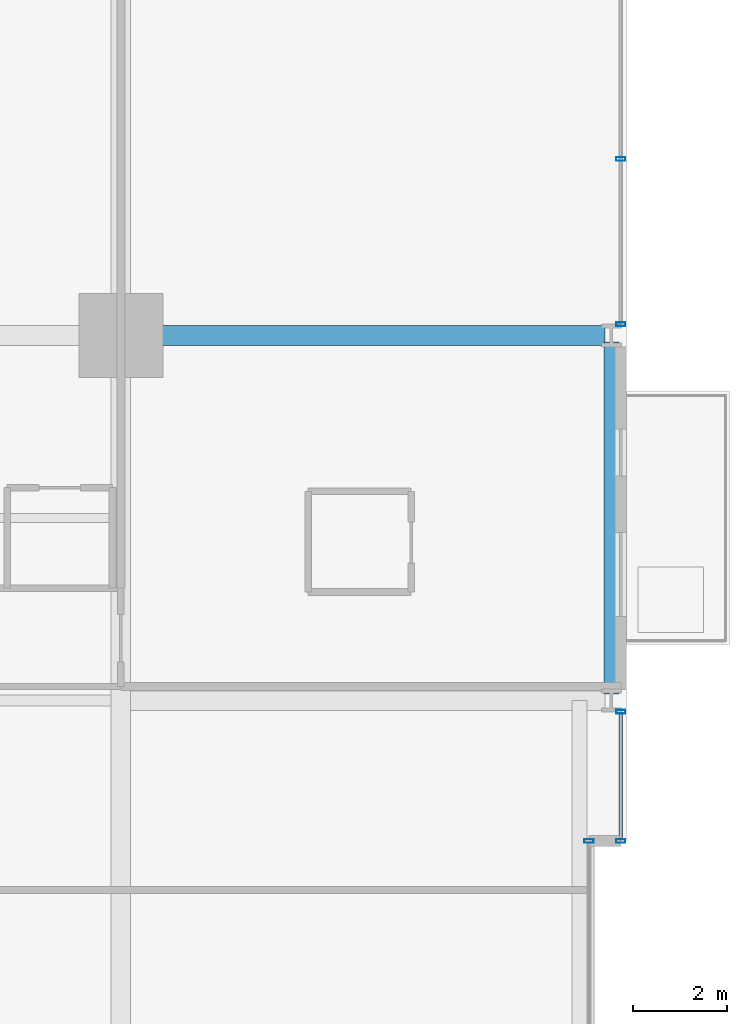
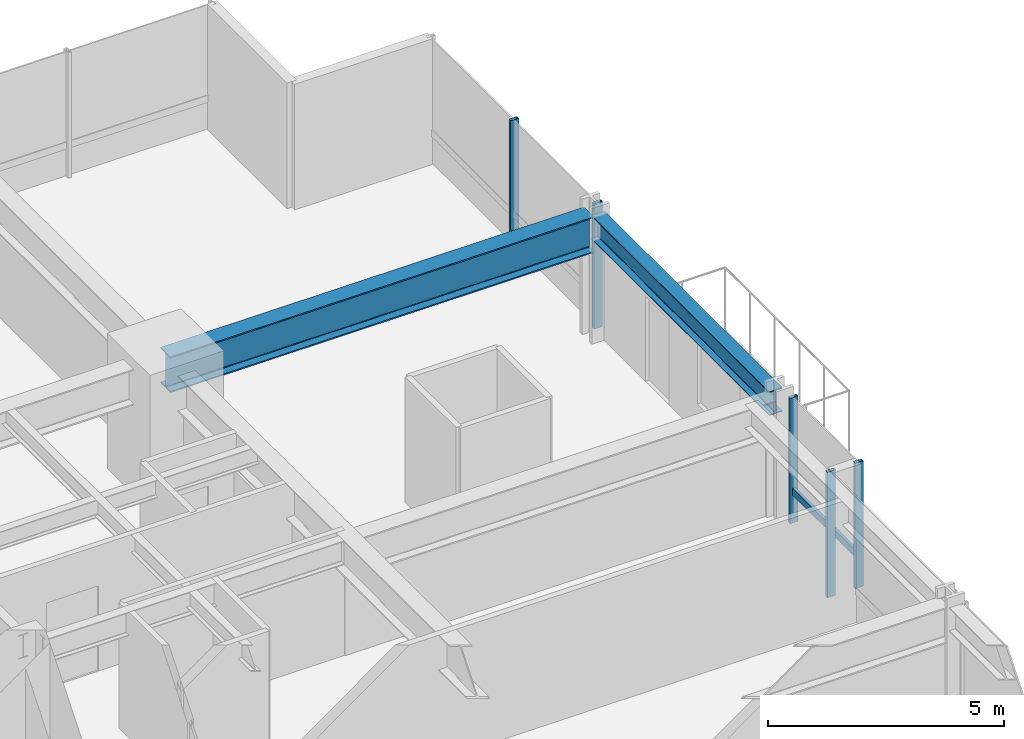
# One storey, part 25 of 38: 6 members, 2 beams, 3 elements without a shape of their own.
"""IFC4 building model written with IfcOpenShell, lengths in metres."""

from ifc_helpers import new_model, si_unit, direction, frame, origin, origin_2d, place, context, subcontext, project, spatial, hollow_rectangle, i_section, extrude, material, layer, layer_set, material_profile, profile_set, type_object, element, aggregate, save


model = new_model("IFC4")

# Units and contexts
model_context = context("Model", 3, precision=1e-05, world=origin(), true_north=direction((0.0, 1.0)))
body_context = subcontext(model_context, "Body", "Model", "MODEL_VIEW")
ifc_project = project(units=[si_unit("LENGTHUNIT", "METRE"), si_unit("AREAUNIT", "SQUARE_METRE"), si_unit("VOLUMEUNIT", "CUBIC_METRE"), si_unit("PLANEANGLEUNIT", "RADIAN"), si_unit("MASSUNIT", "GRAM", prefix="KILO")], contexts=[model_context])

# Site, building, storey
site_placement = place(None, origin())
site = spatial("IfcSite", under=ifc_project, at=site_placement, CompositionType="ELEMENT")
building_placement = place(site_placement, origin())
building = spatial("IfcBuilding", under=site, at=building_placement, Name="Drelvath Grand Hotel", CompositionType="ELEMENT")
storey_placement = place(building_placement, frame((0.0, 0.0, 50.699951171875)))
storey = spatial("IfcBuildingStorey", under=building, at=storey_placement, Name="L11", CompositionType="ELEMENT", Elevation=50.699951171875)

# Curtain wall, members
ifc_material_1 = material(Name="Warm Bronze Anodised Aluminium Frame", Category="aluminium")
ifc_layer = layer(ifc_material_1, 0.199951171875)
ifc_layer_set = layer_set([ifc_layer], Name="Warm Bronze Anodised Aluminium Frame")
curtain_wall_type = type_object("IfcCurtainWallType", Name="Stick Curtain Wall CW-02 Warm Bronze Low-Rise", PredefinedType="NOTDEFINED", material=ifc_layer_set)
curtain_wall_1_placement = place(storey_placement, origin())
curtain_wall_1 = element("IfcCurtainWall", 1, at=curtain_wall_1_placement, inside=storey, type_object=curtain_wall_type, Name="L11 CW-02 Curtain Wall CW02-L11-EN1", PredefinedType="NOTDEFINED")
ifc_material_profile_1 = material_profile(ifc_material_1, hollow_rectangle(XDim=0.074951171875, YDim=0.179931640625, WallThickness=0.0048828125, at=origin_2d()), Name="HSS180X75X5")
ifc_profile_set_1 = profile_set([ifc_material_profile_1], Name="Warm Bronze Anodised Aluminium Frame")
member_type_1 = type_object("IfcMemberType", Name="Curtain Wall Horizontal Transom CW-02 HSS180X75X5", PredefinedType="USERDEFINED", material=ifc_profile_set_1)
member_1_placement = place(storey_placement, frame((26.8798828125, 35.119140625, 0.81005859375), z_axis=(0.0, -1.0, 0.0), x_axis=(1.0, 0.0, 0.0)))
member_1 = element("IfcMember", 2, at=member_1_placement, type_object=member_type_1, Name="CW02-L11-EN1 Sill Transom", ObjectType="TRANSOM", PredefinedType="USERDEFINED", context=body_context, shape_type="SweptSolid", body=[
    extrude(hollow_rectangle(XDim=0.074951171875, YDim=0.179931640625, WallThickness=0.0048828125, at=origin_2d()), origin(), (0.0, 0.0, 1.0), 2.67919921875),
])
ifc_material_profile_2 = material_profile(ifc_material_1, hollow_rectangle(XDim=0.080078125, YDim=0.199951171875, WallThickness=0.0048828125, at=origin_2d()), Name="HSS200X80X5")
ifc_profile_set_2 = profile_set([ifc_material_profile_2], Name="Warm Bronze Anodised Aluminium Frame")
member_type_2 = type_object("IfcMemberType", Name="Curtain Wall Vertical Mullion CW-02 HSS200X80X5", PredefinedType="MULLION", material=ifc_profile_set_2)
member_2_placement = place(storey_placement, frame((26.8798828125, 35.1591796875, 0.0), z_axis=(0.0, 0.0, 1.0), x_axis=(0.0, 1.0, 0.0)))
member_2 = element("IfcMember", 3, at=member_2_placement, type_object=member_type_2, Name="CW02-L11-EN1 Mullion 1", PredefinedType="MULLION", context=body_context, shape_type="SweptSolid", body=[
    extrude(hollow_rectangle(XDim=0.080078125, YDim=0.199951171875, WallThickness=0.0048828125, at=origin_2d()), origin(), (0.0, 0.0, 1.0), 3.239990234375),
])
member_3_placement = place(storey_placement, frame((26.8798828125, 32.39990234375, 0.0), z_axis=(0.0, 0.0, 1.0), x_axis=(0.0, 1.0, 0.0)))
member_3 = element("IfcMember", 4, at=member_3_placement, type_object=member_type_2, Name="CW02-L11-EN1 Mullion 2", PredefinedType="MULLION", context=body_context, shape_type="SweptSolid", body=[
    extrude(hollow_rectangle(XDim=0.080078125, YDim=0.199951171875, WallThickness=0.0048828125, at=origin_2d()), origin(), (0.0, 0.0, 1.0), 3.239990234375),
])
aggregate(curtain_wall_1, [member_2, member_3, member_1])

curtain_wall_2_placement = place(storey_placement, origin())
curtain_wall_2 = element("IfcCurtainWall", 5, at=curtain_wall_2_placement, inside=storey, type_object=curtain_wall_type, Name="L11 CW-02 Curtain Wall CW02-L11-EN3", PredefinedType="NOTDEFINED")
member_4_placement = place(storey_placement, frame((26.8798828125, 46.970458984375, 0.0), z_axis=(0.0, 0.0, 1.0), x_axis=(0.0, 1.0, 0.0)))
member_4 = element("IfcMember", 6, at=member_4_placement, type_object=member_type_2, Name="CW02-L11-EN3 Mullion 2", PredefinedType="MULLION", context=body_context, shape_type="SweptSolid", body=[
    extrude(hollow_rectangle(XDim=0.080078125, YDim=0.199951171875, WallThickness=0.0048828125, at=origin_2d()), origin(), (0.0, 0.0, 1.0), 3.239990234375),
])
member_5_placement = place(storey_placement, frame((26.8798828125, 43.44091796875, 0.0), z_axis=(0.0, 0.0, 1.0), x_axis=(0.0, 1.0, 0.0)))
member_5 = element("IfcMember", 7, at=member_5_placement, type_object=member_type_2, Name="CW02-L11-EN3 Mullion 3", PredefinedType="MULLION", context=body_context, shape_type="SweptSolid", body=[
    extrude(hollow_rectangle(XDim=0.080078125, YDim=0.199951171875, WallThickness=0.0048828125, at=origin_2d()), origin(), (0.0, 0.0, 1.0), 3.239990234375),
])
aggregate(curtain_wall_2, [member_4, member_5])

# Curtain wall, member
curtain_wall_3_placement = place(storey_placement, origin())
curtain_wall_3 = element("IfcCurtainWall", 8, at=curtain_wall_3_placement, inside=storey, type_object=curtain_wall_type, Name="L11 CW-02 Curtain Wall CW02-L11-EM2", PredefinedType="NOTDEFINED")
member_6_placement = place(storey_placement, frame((26.199951171875, 32.39990234375, 0.0), z_axis=(0.0, 0.0, 1.0), x_axis=(0.0, 1.0, 0.0)))
member_6 = element("IfcMember", 9, at=member_6_placement, type_object=member_type_2, Name="CW02-L11-EM2 Mullion 1", PredefinedType="MULLION", context=body_context, shape_type="SweptSolid", body=[
    extrude(hollow_rectangle(XDim=0.080078125, YDim=0.199951171875, WallThickness=0.0048828125, at=origin_2d()), origin(), (0.0, 0.0, 1.0), 3.239990234375),
])
aggregate(curtain_wall_3, [member_6])

# Beams
ifc_material_2 = material(Name="Steel ASTM A992 Gr 50", Category="steel")
ifc_material_profile_3 = material_profile(ifc_material_2, i_section(OverallWidth=0.323974609375, OverallDepth=0.611083984375, WebThickness=0.0126953125, FlangeThickness=0.01904296875, FilletRadius=0.02197265625, at=origin_2d()), Name="W24X104")
ifc_profile_set_3 = profile_set([ifc_material_profile_3], Name="Steel ASTM A992 Gr 50")
beam_type_1 = type_object("IfcBeamType", Name="Perimeter Spandrel Beam W24X104", PredefinedType="SPANDREL", material=ifc_profile_set_3)
beam_1_placement = place(storey_placement, frame((26.679931640625, 35.5400390625, 2.9345703125), z_axis=(0.0, 1.0, 0.0), x_axis=(-1.0, 0.0, 0.0)))
element("IfcBeam", 10, at=beam_1_placement, inside=storey, type_object=beam_type_1, Name="L11 Spandrel East N", PredefinedType="SPANDREL", context=body_context, shape_type="SweptSolid", body=[
    extrude(i_section(OverallWidth=0.323974609375, OverallDepth=0.611083984375, WebThickness=0.0126953125, FlangeThickness=0.01904296875, FilletRadius=0.02197265625, at=origin_2d()), origin(), (0.0, 0.0, 1.0), 7.52001953125),
])
ifc_material_profile_4 = material_profile(ifc_material_2, i_section(OverallWidth=0.418212890625, OverallDepth=0.926513671875, WebThickness=0.019287109375, FlangeThickness=0.031982421875, FilletRadius=0.028076171875, at=origin_2d()), Name="W36X231")
ifc_profile_set_4 = profile_set([ifc_material_profile_4], Name="Steel ASTM A992 Gr 50")
beam_type_2 = type_object("IfcBeamType", Name="Primary Floor Girder W36X231", PredefinedType="BEAM", material=ifc_profile_set_4)
beam_2_placement = place(storey_placement, frame((16.199951171875, 43.199951171875, 2.77685546875), z_axis=(1.0, 0.0, 0.0), x_axis=(0.0, 1.0, 0.0)))
element("IfcBeam", 11, at=beam_2_placement, inside=storey, type_object=beam_type_2, Name="L11 East Grid Girder G", PredefinedType="BEAM", context=body_context, shape_type="SweptSolid", body=[
    extrude(i_section(OverallWidth=0.418212890625, OverallDepth=0.926513671875, WebThickness=0.019287109375, FlangeThickness=0.031982421875, FilletRadius=0.028076171875, at=origin_2d()), origin(), (0.0, 0.0, 1.0), 10.340087890625),
])

save(model, "model.ifc")
